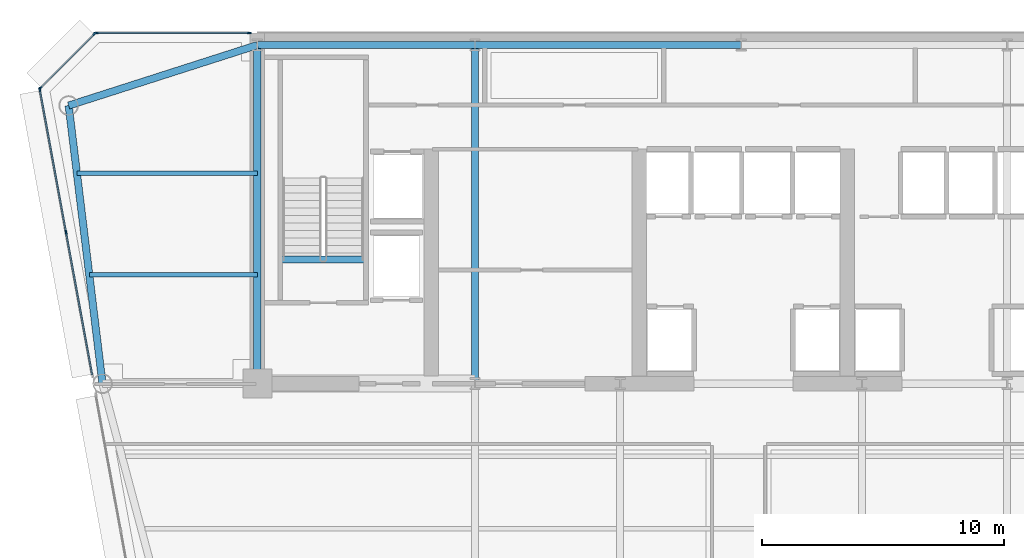
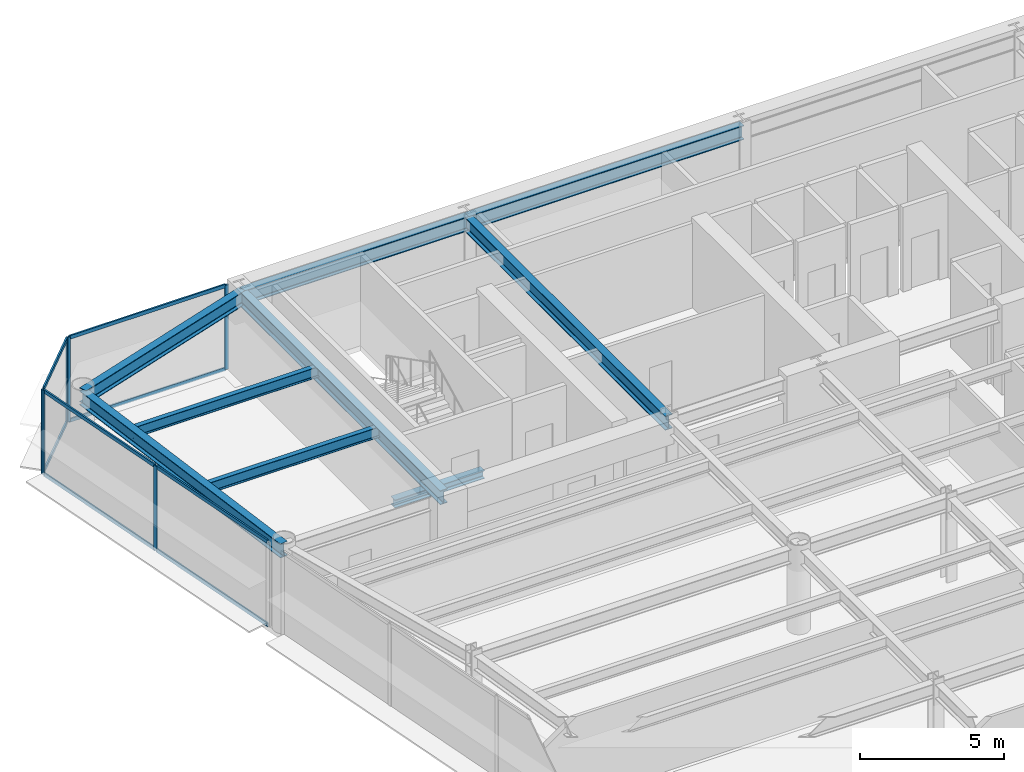
# One storey, part 7 of 16: 14 members, 9 beams, 3 elements without a shape of their own.
"""IFC4 building model written with IfcOpenShell, lengths in metres."""

import ifcopenshell
import ifcopenshell.guid

model = None  # the IFC model being written
_history = None  # IfcOwnerHistory: only IFC2X3 demands one
_inside = {}  # id of a spatial element -> (the spatial element, [elements in it])
_under = {}  # id of a project, library or spatial element -> (it, [spatial elements below it])
_declared = {}  # id of a project -> (the project, [libraries it declares])
_typed = {}  # id of a type object -> (the type object, [elements of that type])
_made_of = {}  # id of a material, layer set ... -> (it, [elements and type objects made of it])


def new_model(schema):
    """Start an empty IFC model of exactly this schema.

    Asked for "IFC4X3", IfcOpenShell would pick the latest addendum, in which some entities
    have other attributes; the version numbers below select the first issue.
    IFC2X3 requires an IfcOwnerHistory on every rooted entity: one is made here for all.
    """
    global model, _history
    if schema == "IFC4X3":
        model = ifcopenshell.file(schema_version=(4, 3, 0, 0))
    else:
        model = ifcopenshell.file(schema=schema)
    _inside.clear()
    _under.clear()
    _declared.clear()
    _typed.clear()
    _made_of.clear()
    _history = None
    if model.schema == "IFC2X3":
        org = make("IfcOrganization", Name="unknown")
        user = make(
            "IfcPersonAndOrganization",
            ThePerson=make("IfcPerson", FamilyName="unknown"),
            TheOrganization=org,
        )
        app = make(
            "IfcApplication",
            ApplicationDeveloper=org,
            Version="unknown",
            ApplicationFullName="unknown",
            ApplicationIdentifier="unknown",
        )
        _history = make(
            "IfcOwnerHistory",
            OwningUser=user,
            OwningApplication=app,
            ChangeAction="ADDED",
            CreationDate=0,
        )
    return model


def make(cls, **values):
    """One entity of the class cls with the attributes given. An attribute that is None is left unset."""
    return model.create_entity(
        cls, **{name: value for name, value in values.items() if value is not None}
    )


def rooted(cls, **values):
    """An entity with a GlobalId (a new one), such as an element, a storey or a relation."""
    return make(cls, GlobalId=ifcopenshell.guid.new(), OwnerHistory=_history, **values)


def si_unit(unit_type, name, prefix=None):
    """IfcSIUnit, for example si_unit("LENGTHUNIT", "METRE", prefix="MILLI")."""
    return make("IfcSIUnit", UnitType=unit_type, Prefix=prefix, Name=name)


def assignment(units):
    """IfcUnitAssignment: the units of a project."""
    return None if units is None else make("IfcUnitAssignment", Units=units)


def point(xyz):
    """IfcCartesianPoint."""
    return None if xyz is None else make("IfcCartesianPoint", Coordinates=xyz)


def direction(xyz):
    """IfcDirection."""
    return None if xyz is None else make("IfcDirection", DirectionRatios=xyz)


def frame(location, z_axis=None, x_axis=None):
    """IfcAxis2Placement3D, a coordinate frame: its origin and axes. An axis left out is left unset."""
    return make(
        "IfcAxis2Placement3D",
        Location=point(location),
        Axis=direction(z_axis),
        RefDirection=direction(x_axis),
    )


def frame_2d(location, x_axis=None):
    """IfcAxis2Placement2D, a coordinate frame in the plane: its origin and x axis."""
    return make(
        "IfcAxis2Placement2D", Location=point(location), RefDirection=direction(x_axis)
    )


def origin():
    """The frame at (0, 0, 0) with its axes left unset."""
    return frame((0.0, 0.0, 0.0))


def origin_2d():
    """The frame at (0, 0) in the plane with its x axis left unset."""
    return frame_2d((0.0, 0.0))


def place(relative_to, where):
    """IfcLocalPlacement: puts the frame where relative to a parent placement (None: the world)."""
    return make(
        "IfcLocalPlacement", PlacementRelTo=relative_to, RelativePlacement=where
    )


def context(
    kind, dimensions, precision=None, world=None, true_north=None, identifier=None
):
    """IfcGeometricRepresentationContext, for example the 3D "Model" context."""
    return make(
        "IfcGeometricRepresentationContext",
        ContextIdentifier=identifier,
        ContextType=kind,
        CoordinateSpaceDimension=dimensions,
        Precision=precision,
        WorldCoordinateSystem=world,
        TrueNorth=true_north,
    )


def subcontext(parent, identifier, kind, view, scale=None):
    """IfcGeometricRepresentationSubContext, for example "Body" below "Model"."""
    return make(
        "IfcGeometricRepresentationSubContext",
        ContextIdentifier=identifier,
        ContextType=kind,
        ParentContext=parent,
        TargetScale=scale,
        TargetView=view,
    )


def project(units=None, contexts=None):
    """IfcProject with its units and contexts."""
    return rooted(
        "IfcProject",
        Name="project",
        RepresentationContexts=contexts,
        UnitsInContext=assignment(units),
    )


def spatial(cls, under=None, at=None, **own):
    """A site, building, storey or space (cls), placed at a placement, below another one or the project."""
    s = rooted(cls, ObjectPlacement=at, **own)
    if under is not None:
        _under.setdefault(under.id(), (under, []))[1].append(s)
    return s


def profile(cls, at=None, kind="AREA", **sizes):
    """A parametric profile (cls). Its sizes go by their IFC names, for example OverallWidth=200.0."""
    return make(cls, ProfileType=kind, Position=at, **sizes)


def rectangle(**sizes):
    """IfcRectangleProfileDef."""
    return profile("IfcRectangleProfileDef", **sizes)


def i_section(**sizes):
    """IfcIShapeProfileDef."""
    return profile("IfcIShapeProfileDef", **sizes)


def extrude(swept, where, along, depth):
    """IfcExtrudedAreaSolid: the profile swept, set in the frame where, extruded along a direction by depth."""
    return make(
        "IfcExtrudedAreaSolid",
        SweptArea=swept,
        Position=where,
        ExtrudedDirection=direction(along),
        Depth=depth,
    )


def shape(context_of_items, identifier, shape_type, items):
    """IfcShapeRepresentation: the items that make up one representation, for example the "Body"."""
    return make(
        "IfcShapeRepresentation",
        ContextOfItems=context_of_items,
        RepresentationIdentifier=identifier,
        RepresentationType=shape_type,
        Items=items,
    )


def source(mapping_origin, context_of_items, identifier, shape_type, items):
    """IfcRepresentationMap: a shape defined once, which mapped items show again and again."""
    return make(
        "IfcRepresentationMap",
        MappingOrigin=mapping_origin,
        MappedRepresentation=shape(context_of_items, identifier, shape_type, items),
    )


def transform(
    local_origin,
    x_axis=None,
    y_axis=None,
    z_axis=None,
    scale=None,
    scale2=None,
    scale3=None,
    uniform=True,
):
    """IfcCartesianTransformationOperator3D, or its non-uniform kind. x_axis, y_axis, z_axis: its Axis1, 2, 3."""
    if uniform:
        return make(
            "IfcCartesianTransformationOperator3D",
            Axis1=direction(x_axis),
            Axis2=direction(y_axis),
            LocalOrigin=point(local_origin),
            Scale=scale,
            Axis3=direction(z_axis),
        )
    return make(
        "IfcCartesianTransformationOperator3DnonUniform",
        Axis1=direction(x_axis),
        Axis2=direction(y_axis),
        LocalOrigin=point(local_origin),
        Scale=scale,
        Axis3=direction(z_axis),
        Scale2=scale2,
        Scale3=scale3,
    )


def mapped(mapping_source, mapping_target):
    """IfcMappedItem: shows the shape of a source again, moved by a transform."""
    return make(
        "IfcMappedItem", MappingSource=mapping_source, MappingTarget=mapping_target
    )


def material(Name=None, Category=None):
    """IfcMaterial."""
    return make("IfcMaterial", Name=Name, Category=Category)


def layer(
    of_material, thickness, ventilated=None, Name=None, Category=None, Priority=None
):
    """IfcMaterialLayer: one layer of a wall or slab, of a material (None: an air gap)."""
    return make(
        "IfcMaterialLayer",
        Material=of_material,
        LayerThickness=thickness,
        IsVentilated=ventilated,
        Name=Name,
        Category=Category,
        Priority=Priority,
    )


def layer_set(layers, Name=None):
    """IfcMaterialLayerSet."""
    return make("IfcMaterialLayerSet", MaterialLayers=layers, LayerSetName=Name)


def material_profile(
    of_material, cross_section, Name=None, Category=None, Priority=None
):
    """IfcMaterialProfile: a cross section and its material."""
    return make(
        "IfcMaterialProfile",
        Name=Name,
        Material=of_material,
        Profile=cross_section,
        Priority=Priority,
        Category=Category,
    )


def profile_set(profiles, Name=None, composite=None):
    """IfcMaterialProfileSet."""
    return make(
        "IfcMaterialProfileSet",
        Name=Name,
        MaterialProfiles=profiles,
        CompositeProfile=composite,
    )


def made_of(thing, what):
    """Note that an element or type object is made of a material, layer set ...; save() writes the relation."""
    if what is not None:
        _made_of.setdefault(what.id(), (what, []))[1].append(thing)
    return thing


def type_object(cls, material=None, **own):
    """A type object (cls), such as IfcWallType, which elements share."""
    return made_of(rooted(cls, **own), material)


def element(
    cls,
    number,
    at=None,
    inside=None,
    cuts=None,
    type_object=None,
    material=None,
    context=None,
    identifier="Body",
    shape_type=None,
    held_by="IfcProductDefinitionShape",
    body=None,
    shapes=None,
    **own,
):
    """One element of the class cls, such as IfcWall. Its Tag is "e" and its number.

    at: its placement. inside: the storey or other place that contains it. cuts: it is an
    opening in that element (IfcRelVoidsElement). A single representation is given by context,
    identifier, shape_type and body (its items); several are given by shapes. held_by: the class
    of the entity that holds the representations. save() writes the other relations.
    """
    e = rooted(cls, Tag="e%d" % number, ObjectPlacement=at, **own)
    if body is not None:
        shapes = [shape(context, identifier, shape_type, body)]
    if shapes is not None:
        e.Representation = make(held_by, Representations=shapes)
    if inside is not None:
        _inside.setdefault(inside.id(), (inside, []))[1].append(e)
    if cuts is not None:
        rooted(
            "IfcRelVoidsElement", RelatingBuildingElement=cuts, RelatedOpeningElement=e
        )
    if type_object is not None:
        _typed.setdefault(type_object.id(), (type_object, []))[1].append(e)
    return made_of(e, material)


def aggregate(whole, parts):
    """IfcRelAggregates: a whole, such as a stair, and the parts it consists of."""
    return rooted("IfcRelAggregates", RelatingObject=whole, RelatedObjects=parts)


def save(model, path):
    """Write the relations noted so far, then the file.

    IfcRelAggregates (storeys below a building ...), IfcRelContainedInSpatialStructure (elements
    in a storey), IfcRelDefinesByType, IfcRelAssociatesMaterial and IfcRelDeclares: one each for
    every whole, place, type object, material and project.
    """
    for whole, parts in _under.values():
        aggregate(whole, parts)
    for where, things in _inside.values():
        rooted(
            "IfcRelContainedInSpatialStructure",
            RelatedElements=things,
            RelatingStructure=where,
        )
    for kind, things in _typed.values():
        rooted("IfcRelDefinesByType", RelatedObjects=things, RelatingType=kind)
    for what, things in _made_of.values():
        rooted("IfcRelAssociatesMaterial", RelatedObjects=things, RelatingMaterial=what)
    for by, libraries in _declared.values():
        rooted("IfcRelDeclares", RelatingContext=by, RelatedDefinitions=libraries)
    model.write(path)


model = new_model("IFC4")

# Units and contexts
model_context = context("Model", 3, precision=1e-05, world=origin(), true_north=direction((0.0, 1.0)))
body_context = subcontext(model_context, "Body", "Model", "MODEL_VIEW")
ifc_project = project(units=[si_unit("LENGTHUNIT", "METRE"), si_unit("AREAUNIT", "SQUARE_METRE"), si_unit("VOLUMEUNIT", "CUBIC_METRE"), si_unit("PLANEANGLEUNIT", "RADIAN"), si_unit("MASSUNIT", "GRAM", prefix="KILO")], contexts=[model_context])

# Site, building, storey
site_placement = place(None, origin())
site = spatial("IfcSite", under=ifc_project, at=site_placement, CompositionType="ELEMENT")
building_placement = place(site_placement, origin())
building = spatial("IfcBuilding", under=site, at=building_placement, Name="Vaeldorn Concourse Tower", CompositionType="ELEMENT")
storey_placement = place(building_placement, frame((0.0, 0.0, 191.800048828125)))
storey = spatial("IfcBuildingStorey", under=building, at=storey_placement, Name="L49", CompositionType="ELEMENT", Elevation=191.800048828125)

# Beams
ifc_material_1 = material(Name="Steel S355", Category="steel")
ifc_material_profile_1 = material_profile(ifc_material_1, i_section(OverallWidth=0.300048828125, OverallDepth=0.340087890625, WebThickness=0.011962890625, FlangeThickness=0.021484375, FilletRadius=0.027099609375, at=origin_2d()), Name="HEB 340")
ifc_profile_set_1 = profile_set([ifc_material_profile_1], Name="Steel S355")
beam_type_1 = type_object("IfcBeamType", Name="BM-ST-TRIM", PredefinedType="BEAM", material=ifc_profile_set_1)
shared_shape_1 = source(origin(), body_context, "Body", "SweptSolid", [
    extrude(i_section(OverallWidth=0.300048828125, OverallDepth=0.340087890625, WebThickness=0.011962890625, FlangeThickness=0.021484375, FilletRadius=0.027099609375, at=origin_2d()), origin(), (0.0, 0.0, 1.0), 3.590087890625),
])
beam_1_placement = place(storey_placement, frame((14.929931640625, 41.639892578125, -0.39013671875), z_axis=(1.0, 0.0, 0.0), x_axis=(0.0, 1.0, 0.0)))
element("IfcBeam", 1, at=beam_1_placement, inside=storey, type_object=beam_type_1, Name="Stair Landing Trimmer Beam ST-1 L49", PredefinedType="BEAM", context=body_context, shape_type="MappedRepresentation", body=[
    mapped(shared_shape_1, transform((0.0, 0.0, 0.0), scale=1.0)),
])
ifc_material_profile_2 = material_profile(ifc_material_1, i_section(OverallWidth=0.18994140625, OverallDepth=0.449951171875, WebThickness=0.009521484375, FlangeThickness=0.0146484375, FilletRadius=0.02099609375, at=origin_2d()), Name="IPE 450")
ifc_profile_set_2 = profile_set([ifc_material_profile_2], Name="Steel S355")
beam_type_2 = type_object("IfcBeamType", Name="BM-JS-IPE450", PredefinedType="JOIST", material=ifc_profile_set_2)
shared_shape_2 = source(origin(), body_context, "Body", "SweptSolid", [
    extrude(i_section(OverallWidth=0.18994140625, OverallDepth=0.449951171875, WebThickness=0.009521484375, FlangeThickness=0.0146484375, FilletRadius=0.02099609375, at=origin_2d()), origin(), (0.0, 0.0, 1.0), 6.94775390625),
])
beam_2_placement = place(storey_placement, frame((7.05224609375, 41.0, 3.35498046875), z_axis=(1.0, 0.0, 0.0), x_axis=(0.0, 1.0, 0.0)))
element("IfcBeam", 2, at=beam_2_placement, inside=storey, type_object=beam_type_2, Name="Beam JS-L49-NW-410", PredefinedType="JOIST", context=body_context, shape_type="MappedRepresentation", body=[
    mapped(shared_shape_2, transform((0.0, 0.0, 0.0), scale=1.0)),
])
shared_shape_3 = source(origin(), body_context, "Body", "SweptSolid", [
    extrude(i_section(OverallWidth=0.18994140625, OverallDepth=0.449951171875, WebThickness=0.009521484375, FlangeThickness=0.0146484375, FilletRadius=0.02099609375, at=origin_2d()), origin(), (0.0, 0.0, 1.0), 7.458984375),
])
beam_3_placement = place(storey_placement, frame((6.541015625, 45.199951171875, 3.35498046875), z_axis=(1.0, 0.0, 0.0), x_axis=(0.0, 1.0, 0.0)))
element("IfcBeam", 3, at=beam_3_placement, inside=storey, type_object=beam_type_2, Name="Beam JS-L49-NW-452", PredefinedType="JOIST", context=body_context, shape_type="MappedRepresentation", body=[
    mapped(shared_shape_3, transform((0.0, 0.0, 0.0), scale=1.0)),
])
ifc_material_profile_3 = material_profile(ifc_material_1, i_section(OverallWidth=0.300048828125, OverallDepth=0.60009765625, WebThickness=0.015380859375, FlangeThickness=0.030029296875, FilletRadius=0.027099609375, at=origin_2d()), Name="HEB 600")
ifc_profile_set_3 = profile_set([ifc_material_profile_3], Name="Steel S355")
beam_type_3 = type_object("IfcBeamType", Name="BM-PG-HEB600", PredefinedType="BEAM", material=ifc_profile_set_3)
shared_shape_4 = source(origin(), body_context, "Body", "SweptSolid", [
    extrude(i_section(OverallWidth=0.300048828125, OverallDepth=0.60009765625, WebThickness=0.015380859375, FlangeThickness=0.030029296875, FilletRadius=0.027099609375, at=origin_2d()), origin(), (0.0, 0.0, 1.0), 9.0),
])
beam_4_placement = place(storey_placement, frame((14.0, 50.5, 3.280029296875), z_axis=(1.0, 0.0, 0.0), x_axis=(0.0, 1.0, 0.0)))
element("IfcBeam", 4, at=beam_4_placement, inside=storey, type_object=beam_type_3, Name="Beam BM-L49-C-HC1-C-HC2", PredefinedType="BEAM", context=body_context, shape_type="MappedRepresentation", body=[
    mapped(shared_shape_4, transform((0.0, 0.0, 0.0), scale=1.0)),
])
shared_shape_5 = source(origin(), body_context, "Body", "SweptSolid", [
    extrude(i_section(OverallWidth=0.300048828125, OverallDepth=0.60009765625, WebThickness=0.015380859375, FlangeThickness=0.030029296875, FilletRadius=0.027099609375, at=origin_2d()), origin(), (0.0, 0.0, 1.0), 11.0),
])
beam_5_placement = place(storey_placement, frame((23.0, 50.5, 3.280029296875), z_axis=(1.0, 0.0, 0.0), x_axis=(0.0, 1.0, 0.0)))
element("IfcBeam", 5, at=beam_5_placement, inside=storey, type_object=beam_type_3, Name="Beam BM-L49-C-HC2-C-HC3", PredefinedType="BEAM", context=body_context, shape_type="MappedRepresentation", body=[
    mapped(shared_shape_5, transform((0.0, 0.0, 0.0), scale=1.0)),
])
shared_shape_6 = source(origin(), body_context, "Body", "SweptSolid", [
    extrude(i_section(OverallWidth=0.300048828125, OverallDepth=0.60009765625, WebThickness=0.015380859375, FlangeThickness=0.030029296875, FilletRadius=0.027099609375, at=origin_2d()), origin(), (0.0, 0.0, 1.0), 14.0),
])
for number, where, z_axis, x_axis, name in (
    (6, (14.0, 36.5, 3.280029296875), (0.0, 1.0, 0.0), (-1.0, 0.0, 0.0), "Beam BM-L49-C-FC1-C-HC1"),
    (7, (23.0, 36.5, 3.280029296875), (0.0, 1.0, 0.0), (-1.0, 0.0, 0.0), "Beam BM-L49-C-FC2-C-HC2"),
):
    element("IfcBeam", number, at=place(storey_placement, frame(where, z_axis=z_axis, x_axis=x_axis)), inside=storey, type_object=beam_type_3, Name=name, PredefinedType="BEAM", context=body_context, shape_type="MappedRepresentation", body=[
        mapped(shared_shape_6, transform((0.0, 0.0, 0.0), scale=1.0)),
    ])
shared_shape_7 = source(origin(), body_context, "Body", "SweptSolid", [
    extrude(i_section(OverallWidth=0.300048828125, OverallDepth=0.60009765625, WebThickness=0.015380859375, FlangeThickness=0.030029296875, FilletRadius=0.027099609375, at=origin_2d()), origin(), (0.0, 0.0, 1.0), 8.19091796875),
])
beam_6_placement = place(storey_placement, frame((6.199951171875, 48.0, 3.280029296875), z_axis=(0.952282843383, 0.305216949396, 0.0), x_axis=(-0.305216949396, 0.952282843383, 0.0)))
element("IfcBeam", 8, at=beam_6_placement, inside=storey, type_object=beam_type_3, Name="Beam BM-L49-C-NW1-C-HC1", PredefinedType="BEAM", context=body_context, shape_type="MappedRepresentation", body=[
    mapped(shared_shape_7, transform((0.0, 0.0, 0.0), scale=1.0)),
])
shared_shape_8 = source(origin(), body_context, "Body", "SweptSolid", [
    extrude(i_section(OverallWidth=0.300048828125, OverallDepth=0.60009765625, WebThickness=0.015380859375, FlangeThickness=0.030029296875, FilletRadius=0.027099609375, at=origin_2d()), origin(), (0.0, 0.0, 1.0), 11.5849609375),
])
beam_7_placement = place(storey_placement, frame((6.199951171875, 48.0, 3.280029296875), z_axis=(0.120859382899, -0.992669637677, 0.0), x_axis=(0.992669637677, 0.120859382899, 0.0)))
element("IfcBeam", 9, at=beam_7_placement, inside=storey, type_object=beam_type_3, Name="Beam BM-L49-C-NW1-C-NW2", PredefinedType="BEAM", context=body_context, shape_type="MappedRepresentation", body=[
    mapped(shared_shape_8, transform((0.0, 0.0, 0.0), scale=1.0)),
])

# Curtain wall, members
ifc_material_2 = material(Name="Anodised Bronze Aluminium", Category="aluminium")
ifc_layer = layer(ifc_material_2, 0.18994140625)
ifc_layer_set = layer_set([ifc_layer], Name="Anodised Bronze Aluminium")
curtain_wall_type = type_object("IfcCurtainWallType", Name="CW-SYS-03", PredefinedType="NOTDEFINED", material=ifc_layer_set)
curtain_wall_1_placement = place(storey_placement, origin())
curtain_wall_1 = element("IfcCurtainWall", 10, at=curtain_wall_1_placement, inside=storey, type_object=curtain_wall_type, Name="Unitised Curtain Wall CW-L49-E09-2", PredefinedType="NOTDEFINED")
ifc_material_profile_4 = material_profile(ifc_material_2, rectangle(XDim=0.06494140625, YDim=0.169921875, at=origin_2d()), Name="CWM 65x170")
ifc_profile_set_4 = profile_set([ifc_material_profile_4], Name="Anodised Bronze Aluminium")
member_type_1 = type_object("IfcMemberType", Name="CWM-BRONZE-170", PredefinedType="MULLION", material=ifc_profile_set_4)
shared_shape_9 = source(origin(), body_context, "Body", "SweptSolid", [
    extrude(rectangle(XDim=0.06494140625, YDim=0.169921875, at=origin_2d()), origin(), (0.0, 0.0, 1.0), 3.579833984375),
])
member_1_placement = place(storey_placement, frame((13.672607421875, 51.0, 0.0), z_axis=(0.0, 0.0, 1.0), x_axis=(0.0, -1.0, 0.0)))
member_1 = element("IfcMember", 11, at=member_1_placement, type_object=member_type_1, Name="CW-03 mullion 1", PredefinedType="MULLION", context=body_context, shape_type="MappedRepresentation", body=[
    mapped(shared_shape_9, transform((0.0, 0.0, 0.0), scale=1.0)),
])
member_2_placement = place(storey_placement, frame((7.33251953125, 51.0, 0.0), z_axis=(0.0, 0.0, 1.0), x_axis=(0.0, -1.0, 0.0)))
member_2 = element("IfcMember", 12, at=member_2_placement, type_object=member_type_1, Name="CW-03 mullion 2", PredefinedType="MULLION", context=body_context, shape_type="MappedRepresentation", body=[
    mapped(shared_shape_9, transform((0.0, 0.0, 0.0), scale=1.0)),
])

curtain_wall_2_placement = place(storey_placement, origin())
curtain_wall_2 = element("IfcCurtainWall", 13, at=curtain_wall_2_placement, inside=storey, type_object=curtain_wall_type, Name="Unitised Curtain Wall CW-L49-E10-1", PredefinedType="NOTDEFINED")
member_3_placement = place(storey_placement, frame((7.277099609375, 50.97705078125, 0.0), z_axis=(0.0, 0.0, 1.0), x_axis=(0.707106781187, -0.707106781187, 0.0)))
member_3 = element("IfcMember", 14, at=member_3_placement, type_object=member_type_1, Name="CW-03 mullion 1", PredefinedType="MULLION", context=body_context, shape_type="MappedRepresentation", body=[
    mapped(shared_shape_9, transform((0.0, 0.0, 0.0), scale=1.0)),
])
member_4_placement = place(storey_placement, frame((5.02294921875, 48.722900390625, 0.0), z_axis=(0.0, 0.0, 1.0), x_axis=(0.707106781187, -0.707106781187, 0.0)))
member_4 = element("IfcMember", 15, at=member_4_placement, type_object=member_type_1, Name="CW-03 mullion 2", PredefinedType="MULLION", context=body_context, shape_type="MappedRepresentation", body=[
    mapped(shared_shape_9, transform((0.0, 0.0, 0.0), scale=1.0)),
])

curtain_wall_3_placement = place(storey_placement, origin())
curtain_wall_3 = element("IfcCurtainWall", 16, at=curtain_wall_3_placement, inside=storey, type_object=curtain_wall_type, Name="Unitised Curtain Wall CW-L49-E11-1", PredefinedType="NOTDEFINED")
member_5_placement = place(storey_placement, frame((5.005859375, 48.66796875, 0.0), z_axis=(0.0, 0.0, 1.0), x_axis=(0.983559459619, 0.180584576845, 0.0)))
member_5 = element("IfcMember", 17, at=member_5_placement, type_object=member_type_1, Name="CW-03 mullion 1", PredefinedType="MULLION", context=body_context, shape_type="MappedRepresentation", body=[
    mapped(shared_shape_9, transform((0.0, 0.0, 0.0), scale=1.0)),
])
member_6_placement = place(storey_placement, frame((6.091796875, 42.753662109375, 0.0), z_axis=(0.0, 0.0, 1.0), x_axis=(0.983559459619, 0.180584576845, 0.0)))
member_6 = element("IfcMember", 18, at=member_6_placement, type_object=member_type_1, Name="CW-03 mullion 2", PredefinedType="MULLION", context=body_context, shape_type="MappedRepresentation", body=[
    mapped(shared_shape_9, transform((0.0, 0.0, 0.0), scale=1.0)),
])

# Member
ifc_material_profile_5 = material_profile(ifc_material_2, rectangle(XDim=0.06494140625, YDim=0.14990234375, at=origin_2d()), Name="CWT 65x150")
ifc_profile_set_5 = profile_set([ifc_material_profile_5], Name="Anodised Bronze Aluminium")
member_type_2 = type_object("IfcMemberType", Name="CWT-BRONZE-150", PredefinedType="USERDEFINED", material=ifc_profile_set_5)
shared_shape_10 = source(origin(), body_context, "Body", "SweptSolid", [
    extrude(rectangle(XDim=0.06494140625, YDim=0.14990234375, at=origin_2d()), origin(), (0.0, 0.0, 1.0), 3.123046875),
])
member_7_placement = place(storey_placement, frame((7.254150390625, 50.9541015625, 0.032470703125), z_axis=(-0.707106781187, -0.707106781187, 0.0), x_axis=(0.707106781187, -0.707106781187, 0.0)))
member_7 = element("IfcMember", 19, at=member_7_placement, type_object=member_type_2, Name="CW-03 transom 1.1", ObjectType="TRANSOM", PredefinedType="USERDEFINED", context=body_context, shape_type="MappedRepresentation", body=[
    mapped(shared_shape_10, transform((0.0, 0.0, 0.0), scale=1.0)),
])

member_8_placement = place(storey_placement, frame((7.254150390625, 50.9541015625, 3.54736328125), z_axis=(-0.707106781187, -0.707106781187, 0.0), x_axis=(0.707106781187, -0.707106781187, 0.0)))
member_8 = element("IfcMember", 20, at=member_8_placement, type_object=member_type_2, Name="CW-03 transom 1.2", ObjectType="TRANSOM", PredefinedType="USERDEFINED", context=body_context, shape_type="MappedRepresentation", body=[
    mapped(shared_shape_10, transform((0.0, 0.0, 0.0), scale=1.0)),
])

aggregate(curtain_wall_2, [member_3, member_4, member_7, member_8])

shared_shape_11 = source(origin(), body_context, "Body", "SweptSolid", [
    extrude(rectangle(XDim=0.06494140625, YDim=0.14990234375, at=origin_2d()), origin(), (0.0, 0.0, 1.0), 6.27490234375),
])
member_9_placement = place(storey_placement, frame((13.639892578125, 51.0, 0.032470703125), z_axis=(-1.0, 0.0, 0.0), x_axis=(0.0, -1.0, 0.0)))
member_9 = element("IfcMember", 21, at=member_9_placement, type_object=member_type_2, Name="CW-03 transom 1.1", ObjectType="TRANSOM", PredefinedType="USERDEFINED", context=body_context, shape_type="MappedRepresentation", body=[
    mapped(shared_shape_11, transform((0.0, 0.0, 0.0), scale=1.0)),
])

member_10_placement = place(storey_placement, frame((13.639892578125, 51.0, 3.54736328125), z_axis=(-1.0, 0.0, 0.0), x_axis=(0.0, -1.0, 0.0)))
member_10 = element("IfcMember", 22, at=member_10_placement, type_object=member_type_2, Name="CW-03 transom 1.2", ObjectType="TRANSOM", PredefinedType="USERDEFINED", context=body_context, shape_type="MappedRepresentation", body=[
    mapped(shared_shape_11, transform((0.0, 0.0, 0.0), scale=1.0)),
])

aggregate(curtain_wall_1, [member_1, member_2, member_9, member_10])

shared_shape_12 = source(origin(), body_context, "Body", "SweptSolid", [
    extrude(rectangle(XDim=0.06494140625, YDim=0.14990234375, at=origin_2d()), origin(), (0.0, 0.0, 1.0), 5.9482421875),
])
member_11_placement = place(storey_placement, frame((5.01171875, 48.635986328125, 0.032470703125), z_axis=(0.180597229094, -0.983557136542, 0.0), x_axis=(0.983557136542, 0.180597229094, 0.0)))
member_11 = element("IfcMember", 23, at=member_11_placement, type_object=member_type_2, Name="CW-03 transom 1.1", ObjectType="TRANSOM", PredefinedType="USERDEFINED", context=body_context, shape_type="MappedRepresentation", body=[
    mapped(shared_shape_12, transform((0.0, 0.0, 0.0), scale=1.0)),
])

member_12_placement = place(storey_placement, frame((5.01171875, 48.635986328125, 3.54736328125), z_axis=(0.180597229094, -0.983557136542, 0.0), x_axis=(0.983557136542, 0.180597229094, 0.0)))
member_12 = element("IfcMember", 24, at=member_12_placement, type_object=member_type_2, Name="CW-03 transom 1.2", ObjectType="TRANSOM", PredefinedType="USERDEFINED", context=body_context, shape_type="MappedRepresentation", body=[
    mapped(shared_shape_12, transform((0.0, 0.0, 0.0), scale=1.0)),
])

member_13_placement = place(storey_placement, frame((6.09765625, 42.7216796875, 0.032470703125), z_axis=(0.180597229094, -0.983557136542, 0.0), x_axis=(0.983557136542, 0.180597229094, 0.0)))
member_13 = element("IfcMember", 25, at=member_13_placement, type_object=member_type_2, Name="CW-03 transom 2.1", ObjectType="TRANSOM", PredefinedType="USERDEFINED", context=body_context, shape_type="MappedRepresentation", body=[
    mapped(shared_shape_12, transform((0.0, 0.0, 0.0), scale=1.0)),
])

member_14_placement = place(storey_placement, frame((6.09765625, 42.7216796875, 3.54736328125), z_axis=(0.180597229094, -0.983557136542, 0.0), x_axis=(0.983557136542, 0.180597229094, 0.0)))
member_14 = element("IfcMember", 26, at=member_14_placement, type_object=member_type_2, Name="CW-03 transom 2.2", ObjectType="TRANSOM", PredefinedType="USERDEFINED", context=body_context, shape_type="MappedRepresentation", body=[
    mapped(shared_shape_12, transform((0.0, 0.0, 0.0), scale=1.0)),
])

aggregate(curtain_wall_3, [member_5, member_6, member_11, member_12, member_13, member_14])

save(model, "model.ifc")
